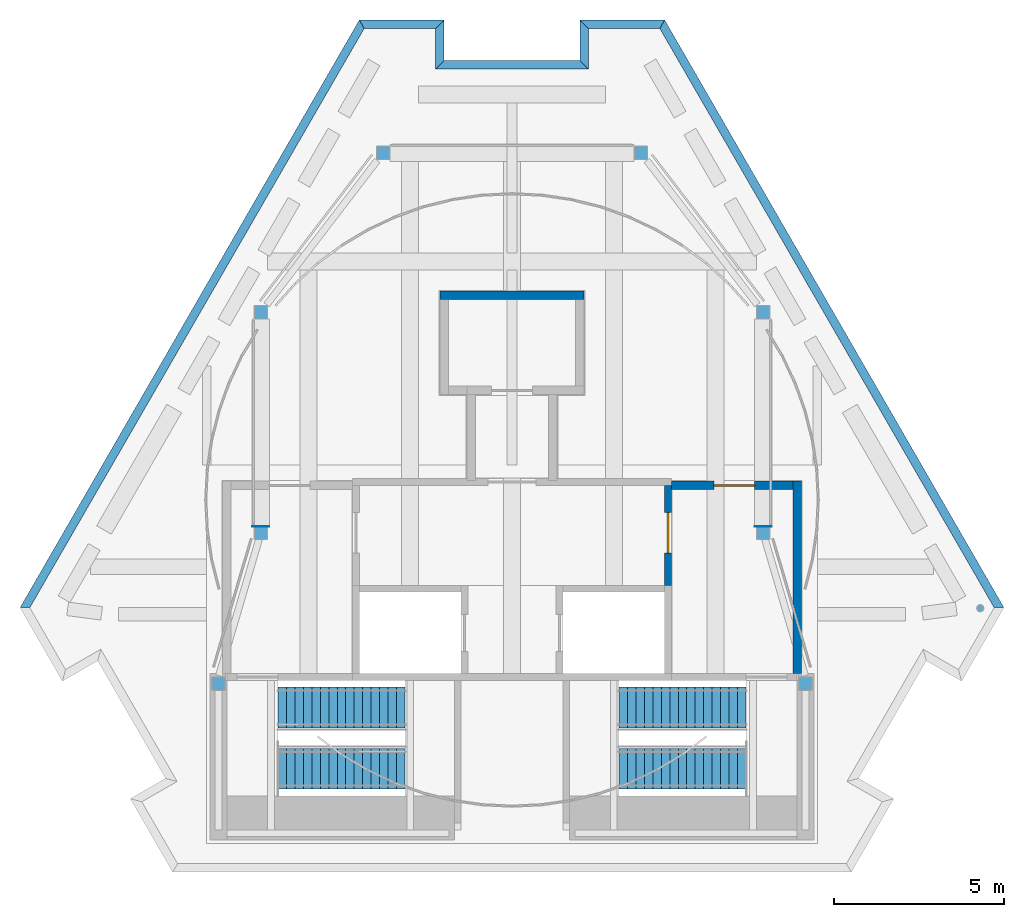
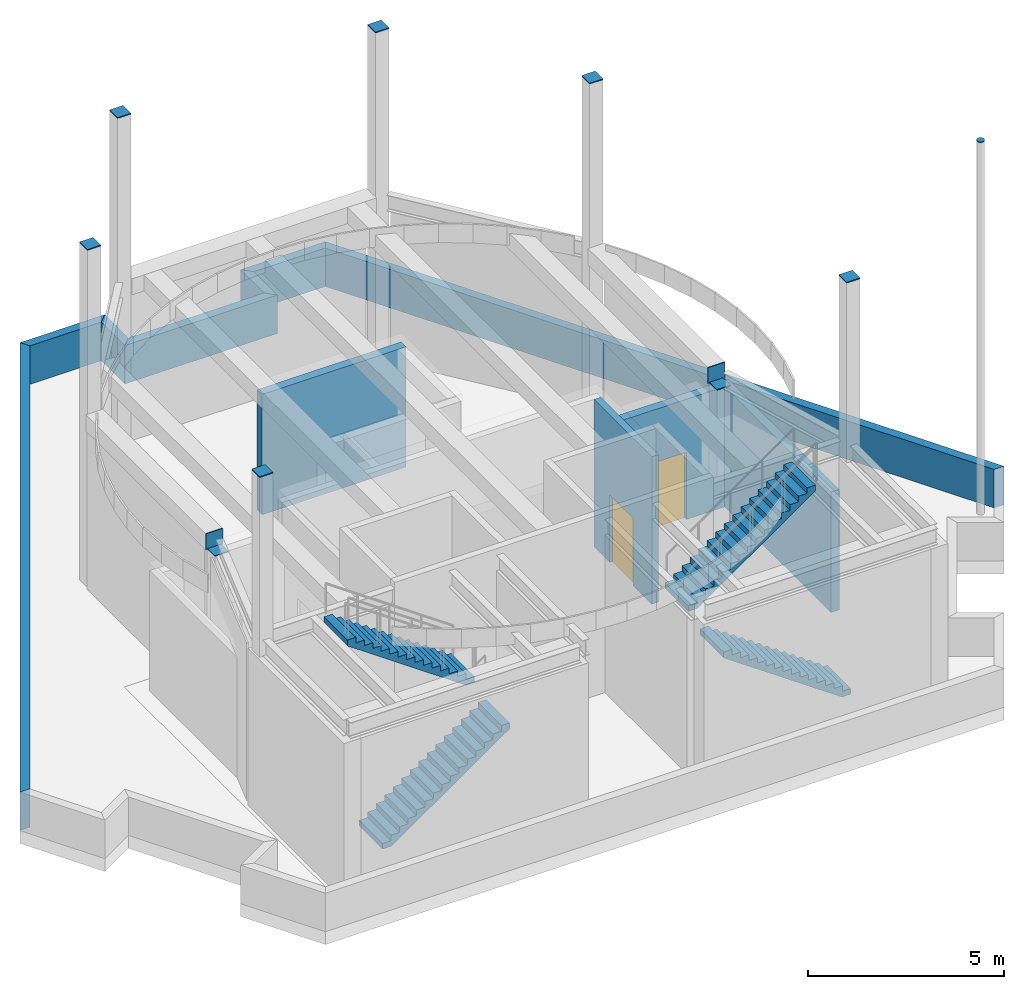
# One storey, part 4 of 6: 11 discrete accessories, 11 walls, 4 stair flights, 2 doors, 2 openings, 2 elements without a shape of their own.
"""IFC4 building model written with IfcOpenShell, lengths in metres."""

from ifc_helpers import new_model, si_unit, direction, frame, frame_2d, origin, origin_2d, place, context, subcontext, project, spatial, polyline, rectangle, outline, extrude, material, layer, layer_set, type_object, element, fill, aggregate, save


model = new_model("IFC4")

# Units and contexts
model_context = context("Model", 3, precision=1e-05, world=origin(), true_north=direction((0.0, 1.0)))
body_context = subcontext(model_context, "Body", "Model", "MODEL_VIEW")
ifc_project = project(units=[si_unit("LENGTHUNIT", "METRE"), si_unit("AREAUNIT", "SQUARE_METRE"), si_unit("VOLUMEUNIT", "CUBIC_METRE"), si_unit("PLANEANGLEUNIT", "RADIAN"), si_unit("MASSUNIT", "GRAM", prefix="KILO")], contexts=[model_context])

# Site, building, storey
site_placement = place(None, origin())
site = spatial("IfcSite", under=ifc_project, at=site_placement, CompositionType="ELEMENT")
building_placement = place(site_placement, origin())
building = spatial("IfcBuilding", under=site, at=building_placement, Name="Fogline Exchange Tower", CompositionType="ELEMENT")
storey_placement = place(building_placement, frame((0.0, 0.0, 363.60009765625)))
storey = spatial("IfcBuildingStorey", under=building, at=storey_placement, Name="RF", CompositionType="ELEMENT", Elevation=363.60009765625)

# Wall, opening, door
ifc_material_1 = material(Name="Concrete C40", Category="concrete")
ifc_layer_1 = layer(ifc_material_1, 0.199951171875)
ifc_layer_set_1 = layer_set([ifc_layer_1], Name="CW20")
wall_type_1 = type_object("IfcWallType", Name="CW20", PredefinedType="SOLIDWALL", material=ifc_layer_set_1)
wall_1_placement = place(storey_placement, frame((4.60009765625, 8.449951171875, 0.0), z_axis=(0.0, 0.0, 1.0), x_axis=(0.0, 1.0, 0.0)))
wall_1 = element("IfcWall", 1, at=wall_1_placement, inside=storey, type_object=wall_type_1, Name="Lift shaft wall", PredefinedType="SOLIDWALL", context=body_context, shape_type="SweptSolid", body=[
    extrude(rectangle(XDim=2.949951171875, YDim=0.199951171875, at=frame_2d((1.47509765625, 0.0))), origin(), (0.0, 0.0, 1.0), 4.599853515625),
])
opening_1_placement = place(wall_1_placement, frame((0.949951171875, 0.0, 0.0)))
opening_1 = element("IfcOpeningElement", 2, at=opening_1_placement, cuts=wall_1, Name="Opening RF-C005", PredefinedType="OPENING", context=body_context, shape_type="SweptSolid", body=[
    extrude(rectangle(XDim=1.199951171875, YDim=2.10009765625, at=frame_2d((0.60009765625, 1.050048828125))), frame((0.0, 0.10986328125, 0.0), z_axis=(0.0, -1.0, 0.0), x_axis=(1.0, 0.0, 0.0)), (0.0, 0.0, 1.0), 0.219970703125),
])
ifc_material_2 = material(Name="Steel Q235B", Category="steel")
door_type = type_object("IfcDoorType", Name="PD7", OperationType="SINGLE_SWING_LEFT", PredefinedType="DOOR", material=ifc_material_2)
door_1_placement = place(opening_1_placement, frame((1.199951171875, 0.0, 0.0), z_axis=(0.0, 0.0, 1.0), x_axis=(-1.0, 0.0, 0.0)))
door_1 = element("IfcDoor", 3, at=door_1_placement, inside=storey, type_object=door_type, Name="Roof lobby door", OperationType="SINGLE_SWING_LEFT", OverallHeight=2.10009765625, OverallWidth=1.199951171875, PredefinedType="DOOR", context=body_context, shape_type="SweptSolid", body=[
    extrude(rectangle(XDim=1.199951171875, YDim=2.10009765625, at=frame_2d((0.60009765625, 1.050048828125))), frame((0.0, 0.02490234375, 0.0), z_axis=(0.0, -1.0, 0.0), x_axis=(1.0, 0.0, 0.0)), (0.0, 0.0, 1.0), 0.050048828125),
])
fill(opening_1, door_1)

# Walls
ifc_material_3 = material(Name="Brick masonry", Category="masonry")
ifc_layer_2 = layer(ifc_material_3, 0.25)
ifc_layer_set_2 = layer_set([ifc_layer_2], Name="FW2")
wall_type_2 = type_object("IfcWallType", Name="FW2", PredefinedType="PARAPET", material=ifc_layer_set_2)
wall_2_placement = place(storey_placement, origin())
element("IfcWall", 4, at=wall_2_placement, inside=storey, type_object=wall_type_2, Name="Roof parapet", PredefinedType="PARAPET", context=body_context, shape_type="SweptSolid", body=[
    extrude(outline(polyline([(14.211181640625, 7.794189453125), (14.5, 7.794189453125), (4.5, 25.11474609375), (4.355712890625, 24.86474609375), (14.211181640625, 7.794189453125)])), origin(), (0.0, 0.0, 1.0), 1.199951171875),
])
wall_3_placement = place(storey_placement, origin())
element("IfcWall", 5, at=wall_3_placement, inside=storey, type_object=wall_type_2, Name="Roof parapet", PredefinedType="PARAPET", context=body_context, shape_type="SweptSolid", body=[
    extrude(outline(polyline([(4.355712890625, 24.86474609375), (4.5, 25.11474609375), (2.0, 25.11474609375), (2.25, 24.86474609375), (4.355712890625, 24.86474609375)])), origin(), (0.0, 0.0, 1.0), 1.199951171875),
])
wall_4_placement = place(storey_placement, origin())
element("IfcWall", 6, at=wall_4_placement, inside=storey, type_object=wall_type_2, Name="Roof parapet", PredefinedType="PARAPET", context=body_context, shape_type="SweptSolid", body=[
    extrude(outline(polyline([(2.25, 24.86474609375), (2.0, 25.11474609375), (2.0, 23.914794921875), (2.25, 23.664794921875), (2.25, 24.86474609375)])), origin(), (0.0, 0.0, 1.0), 1.199951171875),
])
wall_5_placement = place(storey_placement, origin())
element("IfcWall", 7, at=wall_5_placement, inside=storey, type_object=wall_type_2, Name="Roof parapet", PredefinedType="PARAPET", context=body_context, shape_type="SweptSolid", body=[
    extrude(outline(polyline([(2.25, 23.664794921875), (2.0, 23.914794921875), (-2.0, 23.914794921875), (-2.25, 23.664794921875), (2.25, 23.664794921875)])), origin(), (0.0, 0.0, 1.0), 1.199951171875),
])
wall_6_placement = place(storey_placement, origin())
element("IfcWall", 8, at=wall_6_placement, inside=storey, type_object=wall_type_2, Name="Roof parapet", PredefinedType="PARAPET", context=body_context, shape_type="SweptSolid", body=[
    extrude(outline(polyline([(-2.25, 23.664794921875), (-2.0, 23.914794921875), (-2.0, 25.11474609375), (-2.25, 24.86474609375), (-2.25, 23.664794921875)])), origin(), (0.0, 0.0, 1.0), 1.199951171875),
])
wall_7_placement = place(storey_placement, origin())
element("IfcWall", 9, at=wall_7_placement, inside=storey, type_object=wall_type_2, Name="Roof parapet", PredefinedType="PARAPET", context=body_context, shape_type="SweptSolid", body=[
    extrude(outline(polyline([(-2.25, 24.86474609375), (-2.0, 25.11474609375), (-4.5, 25.11474609375), (-4.355712890625, 24.86474609375), (-2.25, 24.86474609375)])), origin(), (0.0, 0.0, 1.0), 1.199951171875),
])
wall_8_placement = place(storey_placement, origin())
element("IfcWall", 10, at=wall_8_placement, inside=storey, type_object=wall_type_2, Name="Roof parapet", PredefinedType="PARAPET", context=body_context, shape_type="SweptSolid", body=[
    extrude(outline(polyline([(-4.355712890625, 24.86474609375), (-4.5, 25.11474609375), (-14.5, 7.794189453125), (-14.211181640625, 7.794189453125), (-4.355712890625, 24.86474609375)])), origin(), (0.0, 0.0, 1.0), 1.199951171875),
])
ifc_layer_3 = layer(ifc_material_1, 0.25)
ifc_layer_set_3 = layer_set([ifc_layer_3], Name="PP3")
wall_type_3 = type_object("IfcWallType", Name="PP3", PredefinedType="SOLIDWALL", material=ifc_layer_set_3)
wall_9_placement = place(storey_placement, frame((8.39990234375, 11.52490234375, 0.0), z_axis=(0.0, 0.0, 1.0), x_axis=(0.0, -1.0, 0.0)))
element("IfcWall", 11, at=wall_9_placement, inside=storey, type_object=wall_type_3, Name="PP3 partition", PredefinedType="SOLIDWALL", context=body_context, shape_type="SweptSolid", body=[
    extrude(rectangle(XDim=5.6748046875, YDim=0.25, at=frame_2d((2.83740234375, 0.0))), origin(), (0.0, 0.0, 1.0), 3.75),
])

# Wall, opening, door
wall_10_placement = place(storey_placement, frame((4.699951171875, 11.39990234375, 0.0), z_axis=(0.0, 0.0, 1.0), x_axis=(1.0, 0.0, 0.0)))
wall_10 = element("IfcWall", 12, at=wall_10_placement, inside=storey, type_object=wall_type_3, Name="PP3 partition", PredefinedType="SOLIDWALL", context=body_context, shape_type="SweptSolid", body=[
    extrude(rectangle(XDim=3.574951171875, YDim=0.25, at=frame_2d((1.78759765625, 0.0))), origin(), (0.0, 0.0, 1.0), 3.75),
])
opening_2_placement = place(wall_10_placement, frame((1.25, 0.0, 0.0)))
opening_2 = element("IfcOpeningElement", 13, at=opening_2_placement, cuts=wall_10, Name="Opening RF-D003", PredefinedType="OPENING", context=body_context, shape_type="SweptSolid", body=[
    extrude(rectangle(XDim=1.199951171875, YDim=2.10009765625, at=frame_2d((0.60009765625, 1.050048828125))), frame((0.0, 0.135009765625, 0.0), z_axis=(0.0, -1.0, 0.0), x_axis=(1.0, 0.0, 0.0)), (0.0, 0.0, 1.0), 0.27001953125),
])
door_2_placement = place(opening_2_placement, origin())
door_2 = element("IfcDoor", 14, at=door_2_placement, inside=storey, type_object=door_type, Name="RF-D003", OperationType="SINGLE_SWING_RIGHT", OverallHeight=2.10009765625, OverallWidth=1.199951171875, PredefinedType="DOOR", context=body_context, shape_type="SweptSolid", body=[
    extrude(rectangle(XDim=1.199951171875, YDim=2.10009765625, at=frame_2d((0.60009765625, 1.050048828125))), frame((0.0, 0.02490234375, 0.0), z_axis=(0.0, -1.0, 0.0), x_axis=(1.0, 0.0, 0.0)), (0.0, 0.0, 1.0), 0.050048828125),
])
fill(opening_2, door_2)

# Wall
ifc_layer_4 = layer(ifc_material_1, 0.25)
ifc_layer_set_4 = layer_set([ifc_layer_4], Name="PP6")
wall_type_4 = type_object("IfcWallType", Name="PP6", PredefinedType="SOLIDWALL", material=ifc_layer_set_4)
wall_11_placement = place(storey_placement, frame((-2.125, 17.0, 0.0), z_axis=(0.0, 0.0, 1.0), x_axis=(1.0, 0.0, 0.0)))
element("IfcWall", 15, at=wall_11_placement, inside=storey, type_object=wall_type_4, Name="PP6 bearing wall", PredefinedType="SOLIDWALL", context=body_context, shape_type="SweptSolid", body=[
    extrude(rectangle(XDim=4.25, YDim=0.25, at=frame_2d((2.125, 0.0))), origin(), (0.0, 0.0, 1.0), 3.75),
])

# Stair, stair flights
ifc_material_4 = material(Name="Steel Q355 grade B", Category="steel")
stair_type = type_object("IfcStairType", Name="HST", PredefinedType="TWO_STRAIGHT_RUN_STAIR", material=ifc_material_4)
stair_1_placement = place(storey_placement, origin())
stair_1 = element("IfcStair", 16, at=stair_1_placement, inside=storey, type_object=stair_type, Name="Helipad stair W", PredefinedType="TWO_STRAIGHT_RUN_STAIR")
stair_flight_type = type_object("IfcStairFlightType", Name="HF1", PredefinedType="STRAIGHT", material=ifc_material_4)
stair_flight_1_placement = place(storey_placement, frame((-6.89990234375, 3.050048828125, 0.0), z_axis=(0.0, 0.0, 1.0), x_axis=(1.0, 0.0, 0.0)))
stair_flight_1 = element("IfcStairFlight", 17, at=stair_flight_1_placement, type_object=stair_flight_type, Name="HS1 flight 1", NumberOfRisers=16, NumberOfTreads=15, PredefinedType="STRAIGHT", RiserHeight=0.175, TreadLength=0.25, context=body_context, shape_type="SweptSolid", body=[
    extrude(outline(polyline([(0.0, 0.0), (0.0, 0.175048828125), (0.25, 0.175048828125), (0.25, 0.35009765625), (0.5, 0.35009765625), (0.5, 0.52490234375), (0.75, 0.52490234375), (0.75, 0.699951171875), (1.0, 0.699951171875), (1.0, 0.875), (1.25, 0.875), (1.25, 1.050048828125), (1.5, 1.050048828125), (1.5, 1.22509765625), (1.75, 1.22509765625), (1.75, 1.39990234375), (2.0, 1.39990234375), (2.0, 1.574951171875), (2.25, 1.574951171875), (2.25, 1.75), (2.5, 1.75), (2.5, 1.925048828125), (2.75, 1.925048828125), (2.75, 2.10009765625), (3.0, 2.10009765625), (3.0, 2.27490234375), (3.25, 2.27490234375), (3.25, 2.449951171875), (3.5, 2.449951171875), (3.5, 2.625), (3.75, 2.625), (3.75, 2.800048828125), (3.75, 2.442138671875), (0.261474609375, 0.0), (0.0, 0.0)])), frame((0.0, 0.60009765625, 0.0), z_axis=(0.0, -1.0, 0.0), x_axis=(1.0, 0.0, 0.0)), (0.0, 0.0, 1.0), 1.199951171875),
])
stair_flight_2_placement = place(storey_placement, frame((-3.14990234375, 4.85009765625, 2.7998046875), z_axis=(0.0, 0.0, 1.0), x_axis=(-1.0, 0.0, 0.0)))
stair_flight_2 = element("IfcStairFlight", 18, at=stair_flight_2_placement, type_object=stair_flight_type, Name="HS1 flight 2", NumberOfRisers=16, NumberOfTreads=15, PredefinedType="STRAIGHT", RiserHeight=0.175, TreadLength=0.25, context=body_context, shape_type="SweptSolid", body=[
    extrude(outline(polyline([(0.0, 0.0), (0.0, 0.175048828125), (0.25, 0.175048828125), (0.25, 0.35009765625), (0.5, 0.35009765625), (0.5, 0.52490234375), (0.75, 0.52490234375), (0.75, 0.699951171875), (1.0, 0.699951171875), (1.0, 0.875), (1.25, 0.875), (1.25, 1.050048828125), (1.5, 1.050048828125), (1.5, 1.22509765625), (1.75, 1.22509765625), (1.75, 1.39990234375), (2.0, 1.39990234375), (2.0, 1.574951171875), (2.25, 1.574951171875), (2.25, 1.75), (2.5, 1.75), (2.5, 1.925048828125), (2.75, 1.925048828125), (2.75, 2.10009765625), (3.0, 2.10009765625), (3.0, 2.27490234375), (3.25, 2.27490234375), (3.25, 2.449951171875), (3.5, 2.449951171875), (3.5, 2.625), (3.75, 2.625), (3.75, 2.800048828125), (3.75, 2.442138671875), (0.261474609375, 0.0), (0.0, 0.0)])), frame((0.0, 0.60009765625, 0.0), z_axis=(0.0, -1.0, 0.0), x_axis=(1.0, 0.0, 0.0)), (0.0, 0.0, 1.0), 1.199951171875),
])
aggregate(stair_1, [stair_flight_1, stair_flight_2])

stair_2_placement = place(storey_placement, origin())
stair_2 = element("IfcStair", 19, at=stair_2_placement, inside=storey, type_object=stair_type, Name="Helipad stair E", PredefinedType="TWO_STRAIGHT_RUN_STAIR")
stair_flight_3_placement = place(storey_placement, frame((6.89990234375, 3.050048828125, 0.0), z_axis=(0.0, 0.0, 1.0), x_axis=(-1.0, 0.0, 0.0)))
stair_flight_3 = element("IfcStairFlight", 20, at=stair_flight_3_placement, type_object=stair_flight_type, Name="HS2 flight 1", NumberOfRisers=16, NumberOfTreads=15, PredefinedType="STRAIGHT", RiserHeight=0.175, TreadLength=0.25, context=body_context, shape_type="SweptSolid", body=[
    extrude(outline(polyline([(0.0, 0.0), (0.0, 0.175048828125), (0.25, 0.175048828125), (0.25, 0.35009765625), (0.5, 0.35009765625), (0.5, 0.52490234375), (0.75, 0.52490234375), (0.75, 0.699951171875), (1.0, 0.699951171875), (1.0, 0.875), (1.25, 0.875), (1.25, 1.050048828125), (1.5, 1.050048828125), (1.5, 1.22509765625), (1.75, 1.22509765625), (1.75, 1.39990234375), (2.0, 1.39990234375), (2.0, 1.574951171875), (2.25, 1.574951171875), (2.25, 1.75), (2.5, 1.75), (2.5, 1.925048828125), (2.75, 1.925048828125), (2.75, 2.10009765625), (3.0, 2.10009765625), (3.0, 2.27490234375), (3.25, 2.27490234375), (3.25, 2.449951171875), (3.5, 2.449951171875), (3.5, 2.625), (3.75, 2.625), (3.75, 2.800048828125), (3.75, 2.442138671875), (0.261474609375, 0.0), (0.0, 0.0)])), frame((0.0, 0.60009765625, 0.0), z_axis=(0.0, -1.0, 0.0), x_axis=(1.0, 0.0, 0.0)), (0.0, 0.0, 1.0), 1.199951171875),
])
stair_flight_4_placement = place(storey_placement, frame((3.14990234375, 4.85009765625, 2.7998046875), z_axis=(0.0, 0.0, 1.0), x_axis=(1.0, 0.0, 0.0)))
stair_flight_4 = element("IfcStairFlight", 21, at=stair_flight_4_placement, type_object=stair_flight_type, Name="HS2 flight 2", NumberOfRisers=16, NumberOfTreads=15, PredefinedType="STRAIGHT", RiserHeight=0.175, TreadLength=0.25, context=body_context, shape_type="SweptSolid", body=[
    extrude(outline(polyline([(0.0, 0.0), (0.0, 0.175048828125), (0.25, 0.175048828125), (0.25, 0.35009765625), (0.5, 0.35009765625), (0.5, 0.52490234375), (0.75, 0.52490234375), (0.75, 0.699951171875), (1.0, 0.699951171875), (1.0, 0.875), (1.25, 0.875), (1.25, 1.050048828125), (1.5, 1.050048828125), (1.5, 1.22509765625), (1.75, 1.22509765625), (1.75, 1.39990234375), (2.0, 1.39990234375), (2.0, 1.574951171875), (2.25, 1.574951171875), (2.25, 1.75), (2.5, 1.75), (2.5, 1.925048828125), (2.75, 1.925048828125), (2.75, 2.10009765625), (3.0, 2.10009765625), (3.0, 2.27490234375), (3.25, 2.27490234375), (3.25, 2.449951171875), (3.5, 2.449951171875), (3.5, 2.625), (3.75, 2.625), (3.75, 2.800048828125), (3.75, 2.442138671875), (0.261474609375, 0.0), (0.0, 0.0)])), frame((0.0, 0.60009765625, 0.0), z_axis=(0.0, -1.0, 0.0), x_axis=(1.0, 0.0, 0.0)), (0.0, 0.0, 1.0), 1.199951171875),
])
aggregate(stair_2, [stair_flight_3, stair_flight_4])

# Discrete accessories
ifc_layer_5 = layer(ifc_material_4, 0.02490234375)
ifc_layer_set_5 = layer_set([ifc_layer_5], Name="EC1")
discrete_accessory_type_1 = type_object("IfcDiscreteAccessoryType", Name="EC1", PredefinedType="USERDEFINED", material=ifc_layer_set_5)
for number, where, z_axis, x_axis, name in (
    (22, (7.39990234375, 10.1875, 4.89990234375), (0.0, 0.0, 1.0), (0.0, -1.0, 0.0), "Helipad box beam end plate"),
    (23, (-7.39990234375, 10.1875, 4.89990234375), (0.0, 0.0, 1.0), (0.0, -1.0, 0.0), "Helipad box beam end plate"),
):
    element("IfcDiscreteAccessory", number, at=place(storey_placement, frame(where, z_axis=z_axis, x_axis=x_axis)), inside=storey, type_object=discrete_accessory_type_1, Name=name, ObjectType="END PLATE", PredefinedType="USERDEFINED", context=body_context, shape_type="SweptSolid", body=[
        extrude(rectangle(XDim=0.02490234375, YDim=0.5, at=origin_2d()), origin(), (0.0, 0.0, 1.0), 0.5),
    ])
ifc_layer_6 = layer(ifc_material_4, 0.030029296875)
ifc_layer_set_6 = layer_set([ifc_layer_6], Name="EC2")
discrete_accessory_type_2 = type_object("IfcDiscreteAccessoryType", Name="EC2", PredefinedType="USERDEFINED", material=ifc_layer_set_6)
for number, where, z_axis, x_axis, name in (
    (24, (-8.64990234375, 5.550048828125, 10.5), (0.0, 0.0, 1.0), (1.0, 0.0, 0.0), "Helipad support cap plate"),
    (25, (8.64990234375, 5.550048828125, 10.5), (0.0, 0.0, 1.0), (1.0, 0.0, 0.0), "Helipad support cap plate"),
    (26, (-7.39990234375, 10.0, 4.89990234375), (0.0, 0.0, 1.0), (1.0, 0.0, 0.0), "Helipad support cap plate"),
    (27, (-7.39990234375, 16.5, 10.5), (0.0, 0.0, 1.0), (1.0, 0.0, 0.0), "Helipad support cap plate"),
    (28, (-3.800048828125, 21.199951171875, 10.5), (0.0, 0.0, 1.0), (1.0, 0.0, 0.0), "Helipad support cap plate"),
    (29, (7.39990234375, 10.0, 4.89990234375), (0.0, 0.0, 1.0), (1.0, 0.0, 0.0), "Helipad support cap plate"),
    (30, (7.39990234375, 16.5, 10.5), (0.0, 0.0, 1.0), (1.0, 0.0, 0.0), "Helipad support cap plate"),
    (31, (3.800048828125, 21.199951171875, 10.5), (0.0, 0.0, 1.0), (1.0, 0.0, 0.0), "Helipad support cap plate"),
):
    element("IfcDiscreteAccessory", number, at=place(storey_placement, frame(where, z_axis=z_axis, x_axis=x_axis)), inside=storey, type_object=discrete_accessory_type_2, Name=name, ObjectType="CAP PLATE", PredefinedType="USERDEFINED", context=body_context, shape_type="SweptSolid", body=[
        extrude(rectangle(XDim=0.39990234375, YDim=0.39990234375, at=origin_2d()), origin(), (0.0, 0.0, 1.0), 0.030029296875),
    ])
discrete_accessory_placement = place(storey_placement, frame((0.0, 0.0, 11.599853515625)))
element("IfcDiscreteAccessory", 32, at=discrete_accessory_placement, inside=storey, type_object=discrete_accessory_type_2, Name="Lightning mast cap plate", ObjectType="CAP PLATE", PredefinedType="USERDEFINED", context=body_context, shape_type="SweptSolid", body=[
    extrude(outline(polyline([(13.89990234375, 7.780029296875), (13.899169921875, 7.793212890625), (13.896484375, 7.805908203125), (13.892333984375, 7.818359375), (13.88671875, 7.830078125), (13.87939453125, 7.8408203125), (13.87060546875, 7.8505859375), (13.86083984375, 7.859375), (13.85009765625, 7.86669921875), (13.83837890625, 7.872314453125), (13.825927734375, 7.876708984375), (13.81298828125, 7.879150390625), (13.800048828125, 7.8798828125), (13.786865234375, 7.879150390625), (13.774169921875, 7.876708984375), (13.76171875, 7.872314453125), (13.75, 7.86669921875), (13.739013671875, 7.859375), (13.729248046875, 7.8505859375), (13.720703125, 7.8408203125), (13.71337890625, 7.830078125), (13.70751953125, 7.818359375), (13.703369140625, 7.805908203125), (13.700927734375, 7.793212890625), (13.699951171875, 7.780029296875), (13.700927734375, 7.766845703125), (13.703369140625, 7.754150390625), (13.70751953125, 7.74169921875), (13.71337890625, 7.72998046875), (13.720703125, 7.718994140625), (13.729248046875, 7.709228515625), (13.739013671875, 7.70068359375), (13.75, 7.693359375), (13.76171875, 7.6875), (13.774169921875, 7.683349609375), (13.786865234375, 7.680908203125), (13.800048828125, 7.679931640625), (13.81298828125, 7.680908203125), (13.825927734375, 7.683349609375), (13.83837890625, 7.6875), (13.85009765625, 7.693359375), (13.86083984375, 7.70068359375), (13.87060546875, 7.709228515625), (13.87939453125, 7.718994140625), (13.88671875, 7.72998046875), (13.892333984375, 7.74169921875), (13.896484375, 7.754150390625), (13.899169921875, 7.766845703125), (13.89990234375, 7.780029296875)])), origin(), (0.0, 0.0, 1.0), 0.030029296875),
])

save(model, "model.ifc")
